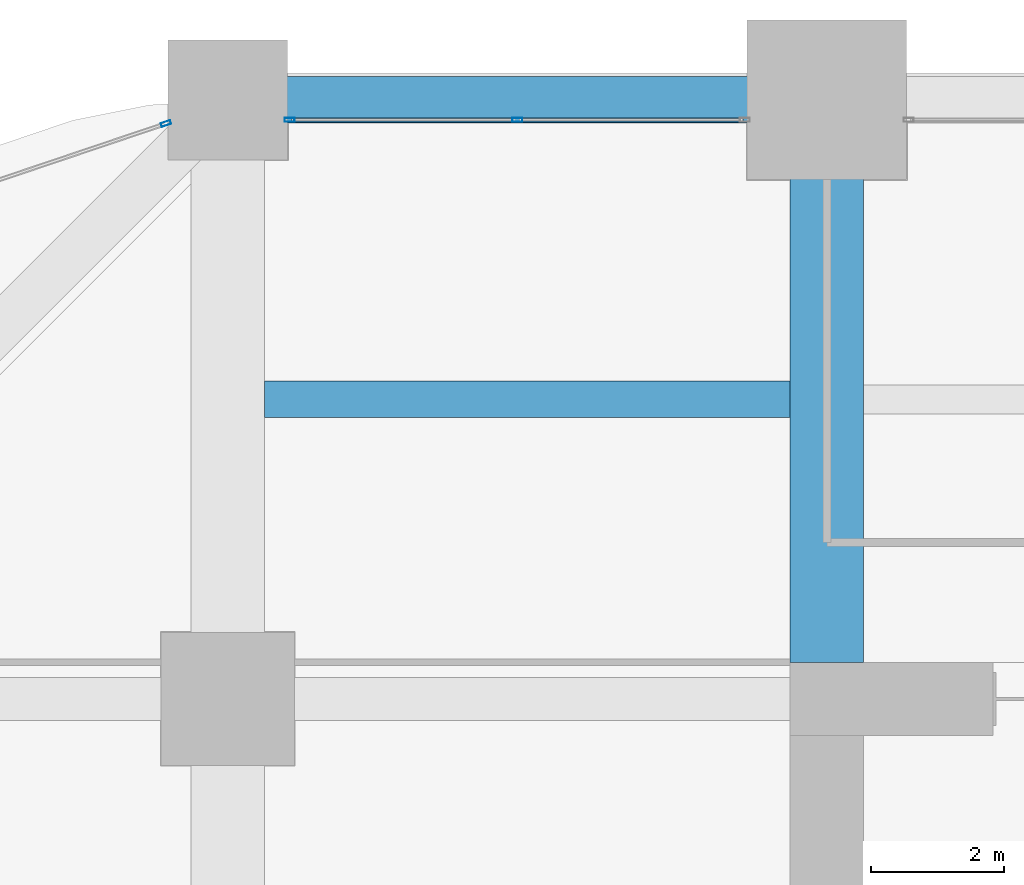
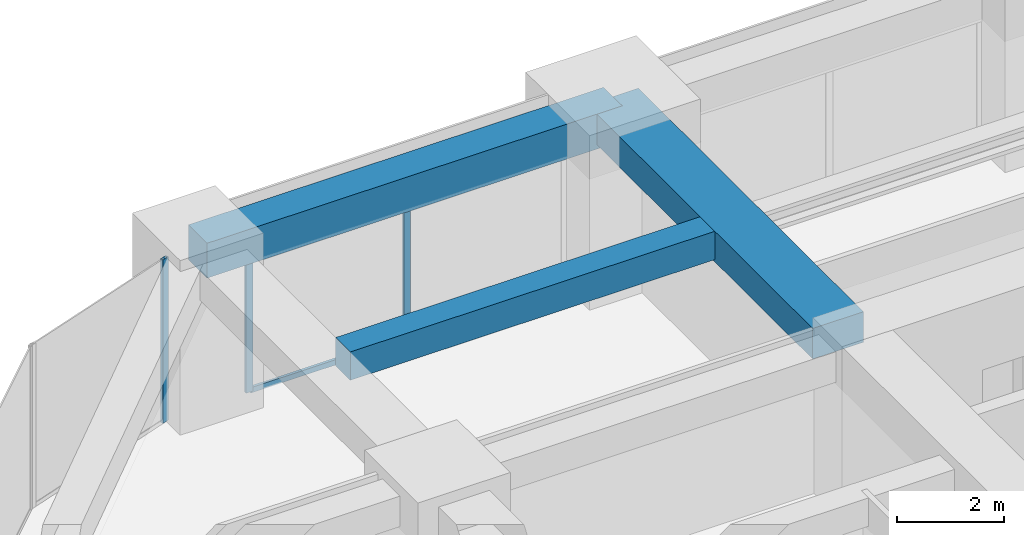
# One storey, part 27 of 39: 4 members, 3 beams, 2 elements without a shape of their own.
"""IFC4 building model written with IfcOpenShell, lengths in metres."""

from ifc_helpers import new_model, si_unit, direction, frame, origin, origin_2d, place, context, subcontext, project, spatial, rectangle, hollow_rectangle, extrude, material, material_profile, profile_set, type_object, element, aggregate, save


model = new_model("IFC4")

# Units and contexts
model_context = context("Model", 3, precision=1e-05, world=origin(), true_north=direction((0.0, 1.0)))
body_context = subcontext(model_context, "Body", "Model", "MODEL_VIEW")
ifc_project = project(units=[si_unit("LENGTHUNIT", "METRE"), si_unit("AREAUNIT", "SQUARE_METRE"), si_unit("VOLUMEUNIT", "CUBIC_METRE"), si_unit("PLANEANGLEUNIT", "RADIAN"), si_unit("MASSUNIT", "GRAM", prefix="KILO")], contexts=[model_context])

# Site, building, storey
site_placement = place(None, origin())
site = spatial("IfcSite", under=ifc_project, at=site_placement, CompositionType="ELEMENT")
building_placement = place(site_placement, origin())
building = spatial("IfcBuilding", under=site, at=building_placement, Name="Zorevar Civic Tower", CompositionType="ELEMENT")
storey_placement = place(building_placement, frame((0.0, 0.0, 121.0)))
storey = spatial("IfcBuildingStorey", under=building, at=storey_placement, Name="L29", CompositionType="ELEMENT", Elevation=121.0)

# Beams
ifc_material_1 = material(Name="Concrete C50/60", Category="concrete")
ifc_material_profile_1 = material_profile(ifc_material_1, rectangle(XDim=1.10009765625, YDim=0.699951171875, at=origin_2d()), Name="RC 1100x700")
ifc_profile_set_1 = profile_set([ifc_material_profile_1], Name="Concrete C50/60")
beam_type_1 = type_object("IfcBeamType", Name="Beam RC 1100x700", PredefinedType="BEAM", material=ifc_profile_set_1)
beam_1_placement = place(storey_placement, frame((18.0, 36.550048828125, 3.39990234375), z_axis=(0.0, 1.0, 0.0), x_axis=(-1.0, 0.0, 0.0)))
element("IfcBeam", 1, at=beam_1_placement, inside=storey, type_object=beam_type_1, Name="Girder L30", PredefinedType="BEAM", context=body_context, shape_type="SweptSolid", body=[
    extrude(rectangle(XDim=1.10009765625, YDim=0.699951171875, at=origin_2d()), origin(), (0.0, 0.0, 1.0), 8.449951171875),
])
ifc_material_2 = material(Name="Concrete C50/60", Category="concrete")
ifc_material_profile_2 = material_profile(ifc_material_2, rectangle(XDim=0.550048828125, YDim=0.64990234375, at=origin_2d()), Name="RC 550x650")
ifc_profile_set_2 = profile_set([ifc_material_profile_2], Name="Concrete C50/60")
beam_type_2 = type_object("IfcBeamType", Name="Beam RC 550x650", PredefinedType="BEAM", material=ifc_profile_set_2)
beam_2_placement = place(storey_placement, frame((9.550048828125, 40.5, 3.425048828125), z_axis=(1.0, 0.0, 0.0), x_axis=(0.0, 1.0, 0.0)))
element("IfcBeam", 2, at=beam_2_placement, inside=storey, type_object=beam_type_2, Name="Secondary beam L30", PredefinedType="BEAM", context=body_context, shape_type="SweptSolid", body=[
    extrude(rectangle(XDim=0.550048828125, YDim=0.64990234375, at=origin_2d()), origin(), (0.0, 0.0, 1.0), 7.89990234375),
])

# Curtain wall, members
ifc_material_3 = material(Name="Dark grey solar-control glass in black aluminium frame", Category="aluminium")
curtain_wall_type = type_object("IfcCurtainWallType", Name="Curtain wall CW3 mid zone", PredefinedType="NOTDEFINED", material=ifc_material_3)
curtain_wall_1_placement = place(storey_placement, origin())
curtain_wall_1 = element("IfcCurtainWall", 3, at=curtain_wall_1_placement, inside=storey, type_object=curtain_wall_type, Name="CW3 L29", PredefinedType="NOTDEFINED")
ifc_material_4 = material(Name="Aluminium, black anodised", Category="aluminium")
ifc_material_profile_3 = material_profile(ifc_material_4, hollow_rectangle(XDim=0.06005859375, YDim=0.14990234375, WallThickness=0.00390625, at=origin_2d()), Name="AL 150x60x4")
ifc_profile_set_3 = profile_set([ifc_material_profile_3], Name="Aluminium, black anodised")
member_type_1 = type_object("IfcMemberType", Name="CW3 mullion AL 150x60x4", PredefinedType="MULLION", material=ifc_profile_set_3)
member_1_placement = place(storey_placement, frame((9.929931640625, 44.699951171875, 0.0), z_axis=(0.0, 0.0, 1.0), x_axis=(0.0, 1.0, 0.0)))
member_1 = element("IfcMember", 4, at=member_1_placement, type_object=member_type_1, Name="CW3 mullion 1", PredefinedType="MULLION", context=body_context, shape_type="SweptSolid", body=[
    extrude(hollow_rectangle(XDim=0.06005859375, YDim=0.14990234375, WallThickness=0.00390625, at=origin_2d()), origin(), (0.0, 0.0, 1.0), 2.949951171875),
])
member_2_placement = place(storey_placement, frame((13.35009765625, 44.699951171875, 0.06005859375), z_axis=(0.0, 0.0, 1.0), x_axis=(0.0, 1.0, 0.0)))
member_2 = element("IfcMember", 5, at=member_2_placement, type_object=member_type_1, Name="CW3 mullion 2", PredefinedType="MULLION", context=body_context, shape_type="SweptSolid", body=[
    extrude(hollow_rectangle(XDim=0.06005859375, YDim=0.14990234375, WallThickness=0.00390625, at=origin_2d()), origin(), (0.0, 0.0, 1.0), 2.889892578125),
])

# Curtain wall, member
curtain_wall_2_placement = place(storey_placement, origin())
curtain_wall_2 = element("IfcCurtainWall", 6, at=curtain_wall_2_placement, inside=storey, type_object=curtain_wall_type, Name="CW3 L29", PredefinedType="NOTDEFINED")
member_3_placement = place(storey_placement, frame((8.071533203125, 44.643798828125, 0.0), z_axis=(0.0, 0.0, 1.0), x_axis=(0.319412525043, -0.947615765406, 0.0)))
member_3 = element("IfcMember", 7, at=member_3_placement, type_object=member_type_1, Name="CW3 mullion 1", PredefinedType="MULLION", context=body_context, shape_type="SweptSolid", body=[
    extrude(hollow_rectangle(XDim=0.06005859375, YDim=0.14990234375, WallThickness=0.00390625, at=origin_2d()), origin(), (0.0, 0.0, 1.0), 3.75),
])
aggregate(curtain_wall_2, [member_3])

# Member
ifc_material_5 = material(Name="Aluminium, black anodised", Category="aluminium")
ifc_material_profile_4 = material_profile(ifc_material_5, hollow_rectangle(XDim=0.06005859375, YDim=0.1201171875, WallThickness=0.0029296875, at=origin_2d()), Name="AL 120x60x3")
ifc_profile_set_4 = profile_set([ifc_material_profile_4], Name="Aluminium, black anodised")
member_type_2 = type_object("IfcMemberType", Name="CW3 transom AL 120x60x3", PredefinedType="USERDEFINED", material=ifc_profile_set_4)
member_4_placement = place(storey_placement, frame((9.9599609375, 44.699951171875, 0.030029296875), z_axis=(1.0, 0.0, 0.0), x_axis=(0.0, 1.0, 0.0)))
member_4 = element("IfcMember", 8, at=member_4_placement, type_object=member_type_2, Name="CW3 sill transom", ObjectType="TRANSOM", PredefinedType="USERDEFINED", context=body_context, shape_type="SweptSolid", body=[
    extrude(hollow_rectangle(XDim=0.06005859375, YDim=0.1201171875, WallThickness=0.0029296875, at=origin_2d()), origin(), (0.0, 0.0, 1.0), 6.780029296875),
])

aggregate(curtain_wall_1, [member_1, member_2, member_4])

# Beam
ifc_material_6 = material(Name="Concrete C50/60", Category="concrete")
ifc_material_profile_5 = material_profile(ifc_material_6, rectangle(XDim=0.699951171875, YDim=0.800048828125, at=origin_2d()), Name="RC 700x800")
ifc_profile_set_5 = profile_set([ifc_material_profile_5], Name="Concrete C50/60")
beam_type_3 = type_object("IfcBeamType", Name="Edge beam RC 700x800", PredefinedType="SPANDREL", material=ifc_profile_set_5)
beam_3_placement = place(storey_placement, frame((9.0, 45.0, 3.35009765625), z_axis=(1.0, 0.0, 0.0), x_axis=(0.0, 1.0, 0.0)))
element("IfcBeam", 9, at=beam_3_placement, inside=storey, type_object=beam_type_3, Name="Edge beam L30", PredefinedType="SPANDREL", context=body_context, shape_type="SweptSolid", body=[
    extrude(rectangle(XDim=0.699951171875, YDim=0.800048828125, at=origin_2d()), origin(), (0.0, 0.0, 1.0), 9.0),
])

save(model, "model.ifc")
